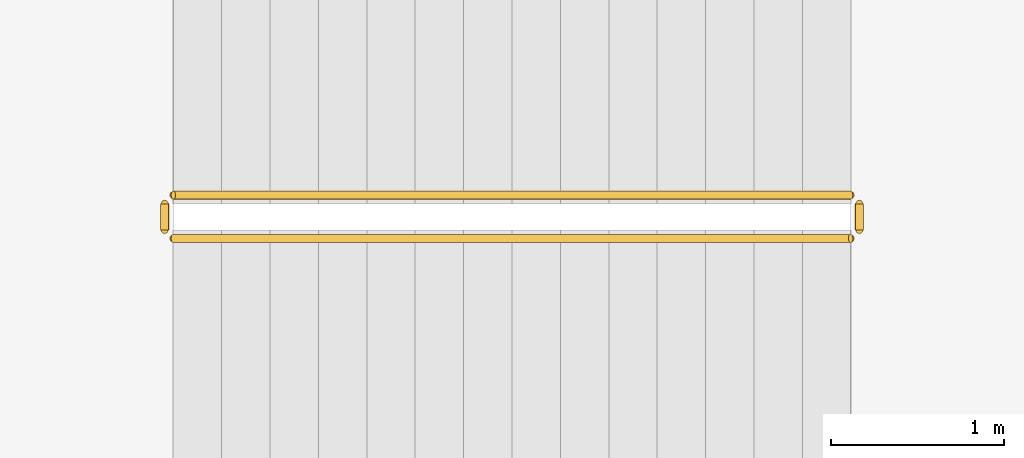
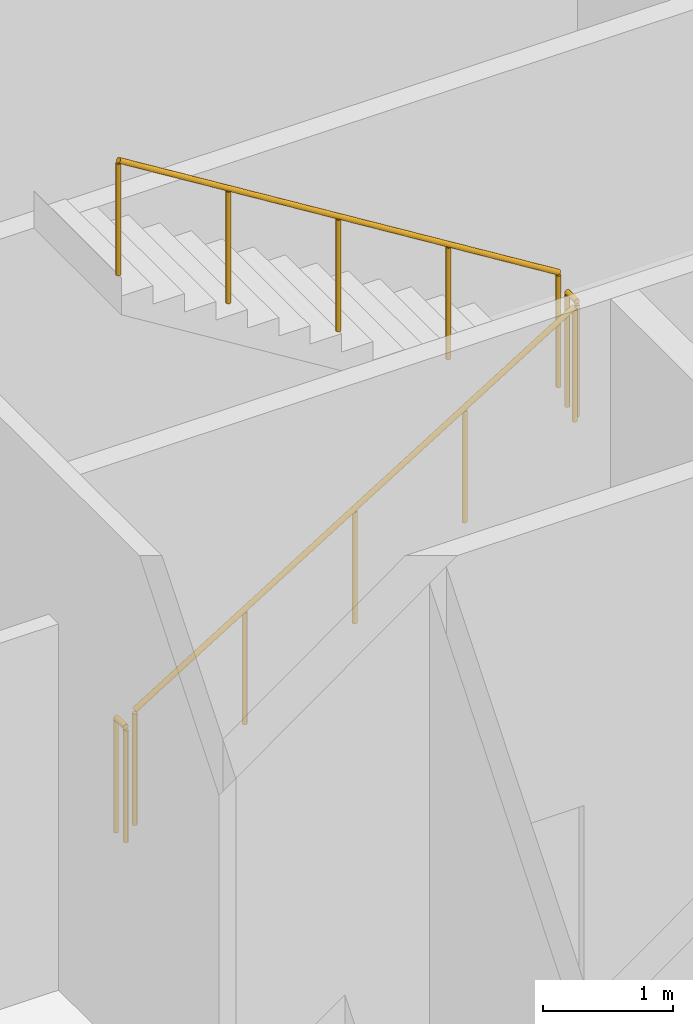
# One storey, part 16 of 21: 4 railings.
"""IFC4 building model written with IfcOpenShell, lengths in metres."""

from ifc_helpers import new_model, si_unit, direction, frame, origin, origin_2d, place, context, subcontext, project, spatial, circle, extrude, material, type_object, element, save


model = new_model("IFC4")

# Units and contexts
model_context = context("Model", 3, precision=1e-05, world=origin(), true_north=direction((0.0, 1.0)))
body_context = subcontext(model_context, "Body", "Model", "MODEL_VIEW")
ifc_project = project(units=[si_unit("LENGTHUNIT", "METRE"), si_unit("AREAUNIT", "SQUARE_METRE"), si_unit("VOLUMEUNIT", "CUBIC_METRE"), si_unit("PLANEANGLEUNIT", "RADIAN"), si_unit("MASSUNIT", "GRAM", prefix="KILO")], contexts=[model_context])

# Site, building, storey
site_placement = place(None, origin())
site = spatial("IfcSite", under=ifc_project, at=site_placement, CompositionType="ELEMENT")
building_placement = place(site_placement, origin())
building = spatial("IfcBuilding", under=site, at=building_placement, Name="Kawkab Arch Medical Tower", CompositionType="ELEMENT")
storey_placement = place(building_placement, frame((0.0, 0.0, 23.800048828125)))
storey = spatial("IfcBuildingStorey", under=building, at=storey_placement, Name="L05", CompositionType="ELEMENT", Elevation=23.800048828125)

# Railings
ifc_material = material(Name="Stainless steel", Category="steel")
railing_type = type_object("IfcRailingType", Name="Stair guard 1100", PredefinedType="GUARDRAIL", material=ifc_material)
railing_1_placement = place(storey_placement, frame((1.800048828125, -36.14990234375, 0.17333984375)))
element("IfcRailing", 1, at=railing_1_placement, inside=storey, type_object=railing_type, Name="L05 ST6 stair guard 1", PredefinedType="GUARDRAIL", context=body_context, shape_type="SweptSolid", body=[
    extrude(circle(Radius=0.02392578125, at=origin_2d()), frame((0.0, 0.0, 1.076171875), z_axis=(0.850275303828, 0.0, 0.526338206574), x_axis=(0.0, 1.0, 0.0)), (0.0, 0.0, 1.0), 4.610107421875),
    extrude(circle(Radius=0.02099609375, at=origin_2d()), origin(), (0.0, 0.0, 1.0), 1.052001953125),
    extrude(circle(Radius=0.02099609375, at=origin_2d()), frame((0.97998046875, 0.0, 0.606689453125)), (0.0, 0.0, 1.0), 1.052001953125),
    extrude(circle(Radius=0.02099609375, at=origin_2d()), frame((1.9599609375, 0.0, 1.21337890625)), (0.0, 0.0, 1.0), 1.052001953125),
    extrude(circle(Radius=0.02099609375, at=origin_2d()), frame((2.93994140625, 0.0, 1.81982421875)), (0.0, 0.0, 1.0), 1.052001953125),
    extrude(circle(Radius=0.02099609375, at=origin_2d()), frame((3.919921875, 0.0, 2.426513671875)), (0.0, 0.0, 1.0), 1.052001953125),
])
railing_2_placement = place(storey_placement, frame((5.77001953125, -36.10009765625, 2.599853515625)))
element("IfcRailing", 2, at=railing_2_placement, inside=storey, type_object=railing_type, Name="L05 ST6 stair guard 2", PredefinedType="GUARDRAIL", context=body_context, shape_type="SweptSolid", body=[
    extrude(circle(Radius=0.02392578125, at=origin_2d()), frame((0.0, 0.0, 1.076171875), z_axis=(0.0, 1.0, 0.0), x_axis=(-1.0, 0.0, 0.0)), (0.0, 0.0, 1.0), 0.150146484375),
    extrude(circle(Radius=0.02099609375, at=origin_2d()), origin(), (0.0, 0.0, 1.0), 1.052001953125),
    extrude(circle(Radius=0.02099609375, at=origin_2d()), frame((0.0, 0.150146484375, 0.0)), (0.0, 0.0, 1.0), 1.052001953125),
])
railing_3_placement = place(storey_placement, frame((5.719970703125, -35.89990234375, 2.773193359375)))
element("IfcRailing", 3, at=railing_3_placement, inside=storey, type_object=railing_type, Name="L05 ST6 stair guard 3", PredefinedType="GUARDRAIL", context=body_context, shape_type="SweptSolid", body=[
    extrude(circle(Radius=0.02392578125, at=origin_2d()), frame((0.0, 0.0, 1.076171875), z_axis=(-0.850251603719, 0.0, 0.526376491091), x_axis=(0.0, -1.0, 0.0)), (0.0, 0.0, 1.0), 4.6103515625),
    extrude(circle(Radius=0.02099609375, at=origin_2d()), origin(), (0.0, 0.0, 1.0), 1.052001953125),
    extrude(circle(Radius=0.02099609375, at=origin_2d()), frame((-0.97998046875, 0.0, 0.606689453125)), (0.0, 0.0, 1.0), 1.052001953125),
    extrude(circle(Radius=0.02099609375, at=origin_2d()), frame((-1.9599609375, 0.0, 1.21337890625)), (0.0, 0.0, 1.0), 1.052001953125),
    extrude(circle(Radius=0.02099609375, at=origin_2d()), frame((-2.93994140625, 0.0, 1.820068359375)), (0.0, 0.0, 1.0), 1.052001953125),
    extrude(circle(Radius=0.02099609375, at=origin_2d()), frame((-3.919921875, 0.0, 2.4267578125)), (0.0, 0.0, 1.0), 1.052001953125),
])
railing_4_placement = place(storey_placement, frame((1.75, -36.10009765625, 0.0)))
element("IfcRailing", 4, at=railing_4_placement, inside=storey, type_object=railing_type, Name="L05 ST6 stair guard 4", PredefinedType="GUARDRAIL", context=body_context, shape_type="SweptSolid", body=[
    extrude(circle(Radius=0.02392578125, at=origin_2d()), frame((0.0, 0.0, 1.076171875), z_axis=(0.0, 1.0, 0.0), x_axis=(-1.0, 0.0, 0.0)), (0.0, 0.0, 1.0), 0.150146484375),
    extrude(circle(Radius=0.02099609375, at=origin_2d()), origin(), (0.0, 0.0, 1.0), 1.052001953125),
    extrude(circle(Radius=0.02099609375, at=origin_2d()), frame((0.0, 0.150146484375, 0.0)), (0.0, 0.0, 1.0), 1.052001953125),
])

save(model, "model.ifc")
